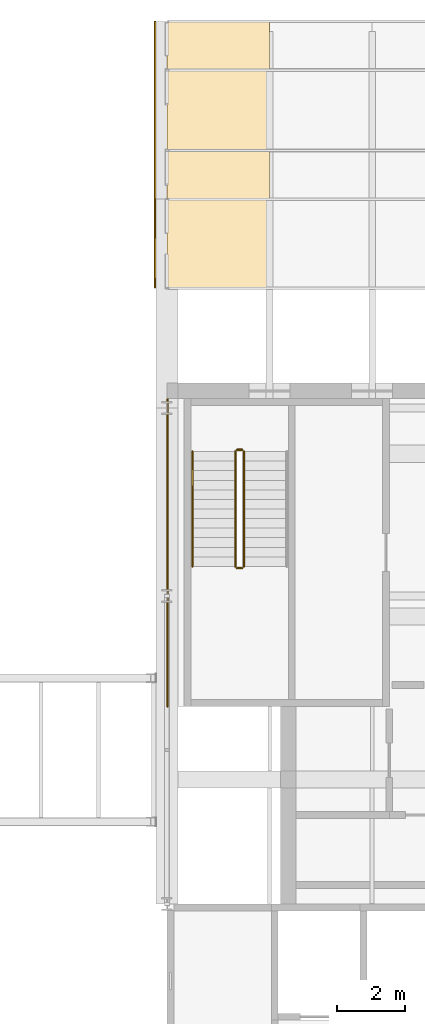
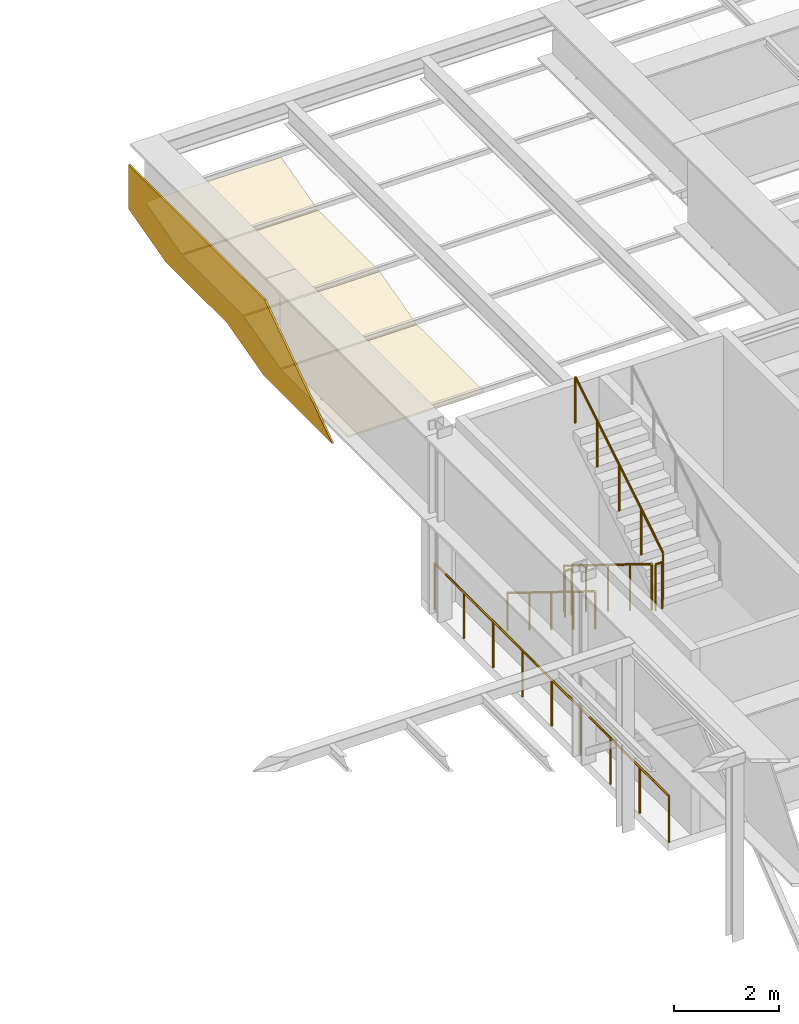
# One storey, part 144 of 153: 6 railings, 5 coverings.
"""IFC4 building model written with IfcOpenShell, lengths in metres."""

from ifc_helpers import new_model, si_unit, direction, frame, origin, origin_2d, place, context, subcontext, project, spatial, polyline, circle, outline, extrude, material, layer, layer_set, type_object, element, save


model = new_model("IFC4")

# Units and contexts
model_context = context("Model", 3, precision=1e-05, world=origin(), true_north=direction((0.0, 1.0)))
body_context = subcontext(model_context, "Body", "Model", "MODEL_VIEW")
ifc_project = project(units=[si_unit("LENGTHUNIT", "METRE"), si_unit("AREAUNIT", "SQUARE_METRE"), si_unit("VOLUMEUNIT", "CUBIC_METRE"), si_unit("PLANEANGLEUNIT", "RADIAN"), si_unit("MASSUNIT", "GRAM", prefix="KILO")], contexts=[model_context])

# Site, building, storey
site_placement = place(None, origin())
site = spatial("IfcSite", under=ifc_project, at=site_placement, CompositionType="ELEMENT")
building_placement = place(site_placement, origin())
building = spatial("IfcBuilding", under=site, at=building_placement, Name="Kallimachos Central Library", CompositionType="ELEMENT")
storey_placement = place(building_placement, frame((0.0, 0.0, 5.39990234375)))
storey = spatial("IfcBuildingStorey", under=building, at=storey_placement, Name="L01", CompositionType="ELEMENT", Elevation=5.39990234375)

# Coverings
ifc_material_1 = material(Name="Glazed ceramic soffit cladding")
ifc_layer_1 = layer(ifc_material_1, 0.0400390625)
ifc_layer_set_1 = layer_set([ifc_layer_1], Name="Ceramic soffit cladding panel 40")
covering_type_1 = type_object("IfcCoveringType", Name="Ceramic soffit cladding panel 40", PredefinedType="CLADDING", material=ifc_layer_set_1)
covering_1_placement = place(storey_placement, frame((65.5, 116.580078125, 2.070068359375), z_axis=(0.0, 0.0, 1.0), x_axis=(1.0, 0.0, 0.0)))
element("IfcCovering", 1, at=covering_1_placement, inside=storey, type_object=covering_type_1, Name="Ceramic soffit cladding panel 4.1", PredefinedType="CLADDING", context=body_context, shape_type="SweptSolid", body=[
    extrude(outline(polyline([(0.0, 0.0), (3.0, 0.0), (3.0, -2.56005859375), (0.0, -2.56005859375), (0.0, 0.0)])), origin(), (0.0, 0.0, -1.0), 0.0400390625),
])
ifc_material_2 = material(Name="Limestone soffit cladding", Category="masonry")
ifc_layer_2 = layer(ifc_material_2, 0.0400390625)
ifc_layer_set_2 = layer_set([ifc_layer_2], Name="Limestone soffit cladding panel 40")
covering_type_2 = type_object("IfcCoveringType", Name="Limestone soffit cladding panel 40", PredefinedType="CLADDING", material=ifc_layer_set_2)
covering_2_placement = place(storey_placement, frame((65.5, 120.35498046875, 2.451904296875), z_axis=(0.0, 0.0, 1.0), x_axis=(1.0, 0.0, 0.0)))
element("IfcCovering", 2, at=covering_2_placement, inside=storey, type_object=covering_type_2, Name="Limestone soffit cladding panel 2.1", PredefinedType="CLADDING", context=body_context, shape_type="SweptSolid", body=[
    extrude(outline(polyline([(0.0, 0.0), (3.0, 0.0), (3.0, -2.31005859375), (0.0, -2.31005859375), (0.0, 0.0)])), origin(), (0.0, 0.0, -1.0), 0.0400390625),
])
covering_3_placement = place(storey_placement, frame((65.5, 118.0048828125, 2.446533203125), z_axis=(0.0, -0.258849580177, 0.965917643923), x_axis=(1.0, 0.0, 0.0)))
element("IfcCovering", 3, at=covering_3_placement, inside=storey, type_object=covering_type_2, Name="Limestone soffit cladding panel 3.1", PredefinedType="CLADDING", context=body_context, shape_type="SweptSolid", body=[
    extrude(outline(polyline([(0.0, 0.0), (3.0, 0.0), (3.0, -1.4336270112796785), (0.0, -1.4336270112796785), (0.0, 0.0)])), origin(), (0.0, 0.0, -1.0), 0.0400390625),
])
ifc_material_3 = material(Name="Limestone soffit cladding", Category="masonry")
ifc_layer_3 = layer(ifc_material_3, 0.0400390625)
ifc_layer_set_3 = layer_set([ifc_layer_3], Name="Soffit fascia cladding panel 40")
covering_type_3 = type_object("IfcCoveringType", Name="Soffit fascia cladding panel 40", PredefinedType="CLADDING", material=ifc_layer_set_3)
covering_4_placement = place(storey_placement, frame((65.135009765625, 121.800048828125, 3.820068359375), z_axis=(-1.0, 0.0, 0.0), x_axis=(0.0, 0.0, -1.0)))
element("IfcCovering", 4, at=covering_4_placement, inside=storey, type_object=covering_type_3, Name="Soffit fascia cladding 1", PredefinedType="CLADDING", context=body_context, shape_type="SweptSolid", body=[
    extrude(outline(polyline([(0.0, 0.0), (1.0263671875, 0.0), (1.408203125, 1.425048828125), (1.408203125, 3.775146484375), (1.7900390625, 5.199951171875), (1.7900390625, 7.800048828125), (0.0, 5.199951171875), (0.0, 0.0), (0.0, 0.0)])), origin(), (0.0, 0.0, -1.0), 0.0400390625),
])
ifc_material_4 = material(Name="Stone soffit cladding", Category="masonry")
ifc_layer_4 = layer(ifc_material_4, 0.0400390625)
ifc_layer_set_4 = layer_set([ifc_layer_4], Name="Stone soffit cladding panel 40")
covering_type_4 = type_object("IfcCoveringType", Name="Stone soffit cladding panel 40", PredefinedType="CLADDING", material=ifc_layer_set_4)
covering_5_placement = place(storey_placement, frame((65.5, 121.780029296875, 2.828369140625), z_axis=(0.0, -0.258807008322, 0.965929051454), x_axis=(1.0, 0.0, 0.0)))
element("IfcCovering", 5, at=covering_5_placement, inside=storey, type_object=covering_type_4, Name="Stone soffit cladding panel 1.1", PredefinedType="CLADDING", context=body_context, shape_type="SweptSolid", body=[
    extrude(outline(polyline([(0.0, 0.0), (3.0, 0.0), (3.0, -1.4338628324095999), (0.0, -1.4338628324095999), (0.0, 0.0)])), origin(), (0.0, 0.0, -1.0), 0.0400390625),
])

# Railings
ifc_material_5 = material(Name="Wrought iron")
railing_type_1 = type_object("IfcRailingType", Name="Wrought-iron handrail 900", PredefinedType="HANDRAIL", material=ifc_material_5)
railing_1_placement = place(storey_placement, frame((66.25, 109.22509765625, 0.173095703125)))
element("IfcRailing", 6, at=railing_1_placement, inside=storey, type_object=railing_type_1, Name="L01 ST3 stair handrail 1", PredefinedType="HANDRAIL", context=body_context, shape_type="SweptSolid", body=[
    extrude(circle(Radius=0.02392578125, at=origin_2d()), frame((0.0, 0.0, 0.8759765625), z_axis=(0.0, -0.850623216509, 0.525775754039), x_axis=(1.0, 0.0, 0.0)), (0.0, 0.0, 1.0), 3.9501953125),
    extrude(circle(Radius=0.02099609375, at=origin_2d()), origin(), (0.0, 0.0, 1.0), 0.851806640625),
    extrude(circle(Radius=0.02099609375, at=origin_2d()), frame((0.0, -0.840087890625, 0.519287109375)), (0.0, 0.0, 1.0), 0.851806640625),
    extrude(circle(Radius=0.02099609375, at=origin_2d()), frame((0.0, -1.68017578125, 1.03857421875)), (0.0, 0.0, 1.0), 0.851806640625),
    extrude(circle(Radius=0.02099609375, at=origin_2d()), frame((0.0, -2.52001953125, 1.5576171875)), (0.0, 0.0, 1.0), 0.851806640625),
    extrude(circle(Radius=0.02099609375, at=origin_2d()), frame((0.0, -3.360107421875, 2.076904296875)), (0.0, 0.0, 1.0), 0.851806640625),
])
ifc_material_6 = material(Name="Wrought iron")
railing_type_2 = type_object("IfcRailingType", Name="Wrought-iron stair guard 1100", PredefinedType="GUARDRAIL", material=ifc_material_6)
railing_2_placement = place(storey_placement, frame((67.5, 109.22509765625, 0.173095703125)))
element("IfcRailing", 7, at=railing_2_placement, inside=storey, type_object=railing_type_2, Name="L01 ST3 stair guard 1", PredefinedType="GUARDRAIL", context=body_context, shape_type="SweptSolid", body=[
    extrude(circle(Radius=0.02392578125, at=origin_2d()), frame((0.0, 0.0, 1.076171875), z_axis=(0.0, -0.850623216509, 0.525775754039), x_axis=(1.0, 0.0, 0.0)), (0.0, 0.0, 1.0), 3.9501953125),
    extrude(circle(Radius=0.02099609375, at=origin_2d()), origin(), (0.0, 0.0, 1.0), 1.052001953125),
    extrude(circle(Radius=0.02099609375, at=origin_2d()), frame((0.0, -0.840087890625, 0.519287109375)), (0.0, 0.0, 1.0), 1.052001953125),
    extrude(circle(Radius=0.02099609375, at=origin_2d()), frame((0.0, -1.68017578125, 1.03857421875)), (0.0, 0.0, 1.0), 1.052001953125),
    extrude(circle(Radius=0.02099609375, at=origin_2d()), frame((0.0, -2.52001953125, 1.5576171875)), (0.0, 0.0, 1.0), 1.052001953125),
    extrude(circle(Radius=0.02099609375, at=origin_2d()), frame((0.0, -3.360107421875, 2.076904296875)), (0.0, 0.0, 1.0), 1.052001953125),
])
railing_3_placement = place(storey_placement, frame((67.550048828125, 105.81494140625, 2.25)))
element("IfcRailing", 8, at=railing_3_placement, inside=storey, type_object=railing_type_2, Name="L01 ST3 stair guard 2", PredefinedType="GUARDRAIL", context=body_context, shape_type="SweptSolid", body=[
    extrude(circle(Radius=0.02392578125, at=origin_2d()), frame((0.0, 0.0, 1.076171875), z_axis=(1.0, 0.0, 0.0), x_axis=(0.0, 1.0, 0.0)), (0.0, 0.0, 1.0), 0.14990234375),
    extrude(circle(Radius=0.02099609375, at=origin_2d()), origin(), (0.0, 0.0, 1.0), 1.052001953125),
    extrude(circle(Radius=0.02099609375, at=origin_2d()), frame((0.14990234375, 0.0, 0.0)), (0.0, 0.0, 1.0), 1.052001953125),
])
railing_4_placement = place(storey_placement, frame((67.75, 105.864990234375, 2.423095703125)))
element("IfcRailing", 9, at=railing_4_placement, inside=storey, type_object=railing_type_2, Name="L01 ST3 stair guard 3", PredefinedType="GUARDRAIL", context=body_context, shape_type="SweptSolid", body=[
    extrude(circle(Radius=0.02392578125, at=origin_2d()), frame((0.0, 0.0, 1.076171875), z_axis=(0.0, 0.850623216509, 0.525775754039), x_axis=(-1.0, 0.0, 0.0)), (0.0, 0.0, 1.0), 3.9501953125),
    extrude(circle(Radius=0.02099609375, at=origin_2d()), origin(), (0.0, 0.0, 1.0), 1.052001953125),
    extrude(circle(Radius=0.02099609375, at=origin_2d()), frame((0.0, 0.840087890625, 0.519287109375)), (0.0, 0.0, 1.0), 1.052001953125),
    extrude(circle(Radius=0.02099609375, at=origin_2d()), frame((0.0, 1.68017578125, 1.03857421875)), (0.0, 0.0, 1.0), 1.052001953125),
    extrude(circle(Radius=0.02099609375, at=origin_2d()), frame((0.0, 2.52001953125, 1.5576171875)), (0.0, 0.0, 1.0), 1.052001953125),
    extrude(circle(Radius=0.02099609375, at=origin_2d()), frame((0.0, 3.360107421875, 2.076904296875)), (0.0, 0.0, 1.0), 1.052001953125),
])
railing_5_placement = place(storey_placement, frame((67.550048828125, 109.27490234375, 0.0)))
element("IfcRailing", 10, at=railing_5_placement, inside=storey, type_object=railing_type_2, Name="L01 ST3 stair guard 4", PredefinedType="GUARDRAIL", context=body_context, shape_type="SweptSolid", body=[
    extrude(circle(Radius=0.02392578125, at=origin_2d()), frame((0.0, 0.0, 1.076171875), z_axis=(1.0, 0.0, 0.0), x_axis=(0.0, 1.0, 0.0)), (0.0, 0.0, 1.0), 0.14990234375),
    extrude(circle(Radius=0.02099609375, at=origin_2d()), origin(), (0.0, 0.0, 1.0), 1.052001953125),
    extrude(circle(Radius=0.02099609375, at=origin_2d()), frame((0.14990234375, 0.0, 0.0)), (0.0, 0.0, 1.0), 1.052001953125),
])
ifc_material_7 = material(Name="Wrought iron")
railing_type_3 = type_object("IfcRailingType", Name="Wrought-iron style guard", PredefinedType="GUARDRAIL", material=ifc_material_7)
railing_6_placement = place(storey_placement, frame((65.52001953125, 101.77490234375, 0.0)))
element("IfcRailing", 11, at=railing_6_placement, inside=storey, type_object=railing_type_3, Name="Corner strip guard", PredefinedType="GUARDRAIL", context=body_context, shape_type="SweptSolid", body=[
    extrude(circle(Radius=0.02392578125, at=origin_2d()), frame((0.0, 0.0, 1.076171875), z_axis=(0.0, 1.0, 0.0), x_axis=(-1.0, 0.0, 0.0)), (0.0, 0.0, 1.0), 8.97509765625),
    extrude(circle(Radius=0.02099609375, at=origin_2d()), origin(), (0.0, 0.0, 1.0), 1.052001953125),
    extrude(circle(Radius=0.02099609375, at=origin_2d()), frame((0.0, 1.121826171875, 0.0)), (0.0, 0.0, 1.0), 1.052001953125),
    extrude(circle(Radius=0.02099609375, at=origin_2d()), frame((0.0, 2.24365234375, 0.0)), (0.0, 0.0, 1.0), 1.052001953125),
    extrude(circle(Radius=0.02099609375, at=origin_2d()), frame((0.0, 3.36572265625, 0.0)), (0.0, 0.0, 1.0), 1.052001953125),
    extrude(circle(Radius=0.02099609375, at=origin_2d()), frame((0.0, 4.487548828125, 0.0)), (0.0, 0.0, 1.0), 1.052001953125),
    extrude(circle(Radius=0.02099609375, at=origin_2d()), frame((0.0, 5.609375, 0.0)), (0.0, 0.0, 1.0), 1.052001953125),
    extrude(circle(Radius=0.02099609375, at=origin_2d()), frame((0.0, 6.7314453125, 0.0)), (0.0, 0.0, 1.0), 1.052001953125),
    extrude(circle(Radius=0.02099609375, at=origin_2d()), frame((0.0, 7.853271484375, 0.0)), (0.0, 0.0, 1.0), 1.052001953125),
    extrude(circle(Radius=0.02099609375, at=origin_2d()), frame((0.0, 8.97509765625, 0.0)), (0.0, 0.0, 1.0), 1.052001953125),
])

save(model, "model.ifc")
